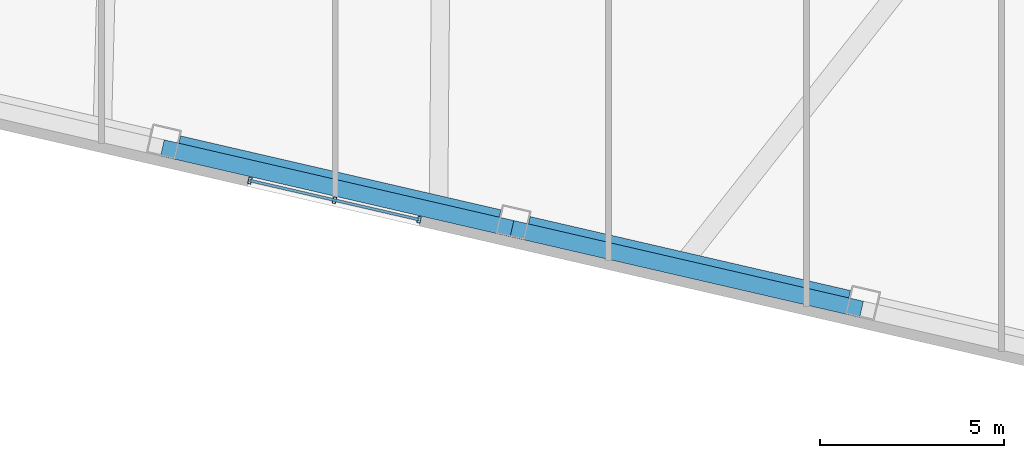
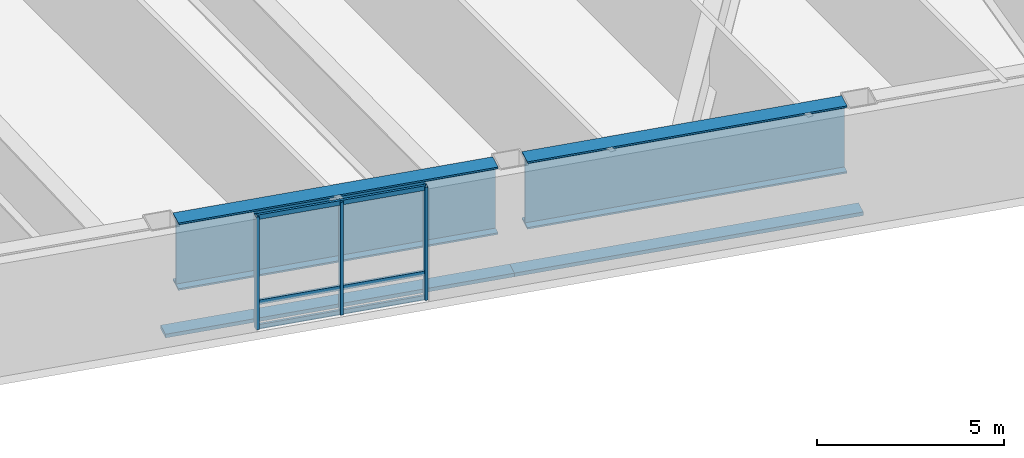
# One storey, part 4 of 19: 8 members, 2 beams, 1 element without a shape of its own.
"""IFC4 building model written with IfcOpenShell, lengths in metres."""

from ifc_helpers import new_model, si_unit, direction, frame, origin, origin_2d, place, context, subcontext, project, spatial, rectangle, hollow_rectangle, i_section, extrude, material, layer, layer_set, material_profile, profile_set, type_object, element, aggregate, save


model = new_model("IFC4")

# Units and contexts
model_context = context("Model", 3, precision=1e-05, world=origin(), true_north=direction((0.0, 1.0)))
body_context = subcontext(model_context, "Body", "Model", "MODEL_VIEW")
ifc_project = project(units=[si_unit("LENGTHUNIT", "METRE"), si_unit("AREAUNIT", "SQUARE_METRE"), si_unit("VOLUMEUNIT", "CUBIC_METRE"), si_unit("PLANEANGLEUNIT", "RADIAN"), si_unit("MASSUNIT", "GRAM", prefix="KILO")], contexts=[model_context])

# Site, building, storey
site_placement = place(None, origin())
site = spatial("IfcSite", under=ifc_project, at=site_placement, CompositionType="ELEMENT")
building_placement = place(site_placement, origin())
building = spatial("IfcBuilding", under=site, at=building_placement, Name="Tavrogorsk Clinical Tower", CompositionType="ELEMENT")
storey_placement = place(building_placement, frame((0.0, 0.0, 79.39990234375)))
storey = spatial("IfcBuildingStorey", under=building, at=storey_placement, Name="L17", CompositionType="ELEMENT", Elevation=79.39990234375)

# Members
ifc_material_1 = material(Name="Anodised aluminium alloy AW-6063", Category="aluminium")
ifc_material_profile_1 = material_profile(ifc_material_1, rectangle(XDim=0.449951171875, YDim=0.1201171875, at=origin_2d()), Name="ALU-SUNSHADE-450x120")
ifc_profile_set_1 = profile_set([ifc_material_profile_1], Name="Anodised aluminium alloy AW-6063")
member_type_1 = type_object("IfcMemberType", Name="ChicagoSunshade_450x120", PredefinedType="USERDEFINED", material=ifc_profile_set_1)
member_1_placement = place(storey_placement, frame((-3.296875, -27.353271484375, 0.18017578125), z_axis=(0.97437219846, -0.224941812182, 0.0), x_axis=(0.224941812182, 0.97437219846, 0.0)))
element("IfcMember", 1, at=member_1_placement, inside=storey, type_object=member_type_1, Name="L17 South Aluminium Sunshade S5", ObjectType="SUNSHADE", PredefinedType="USERDEFINED", context=body_context, shape_type="SweptSolid", body=[
    extrude(rectangle(XDim=0.449951171875, YDim=0.1201171875, at=origin_2d()), origin(), (0.0, 0.0, 1.0), 9.74853515625),
])
member_2_placement = place(storey_placement, frame((6.201904296875, -29.546142578125, 0.18017578125), z_axis=(0.974370931236, -0.2249473013, 0.0), x_axis=(0.2249473013, 0.974370931236, 0.0)))
element("IfcMember", 2, at=member_2_placement, inside=storey, type_object=member_type_1, Name="L17 South Aluminium Sunshade S6", ObjectType="SUNSHADE", PredefinedType="USERDEFINED", context=body_context, shape_type="SweptSolid", body=[
    extrude(rectangle(XDim=0.449951171875, YDim=0.1201171875, at=origin_2d()), origin(), (0.0, 0.0, 1.0), 9.748291015625),
])

# Curtain wall, members
ifc_material_2 = material(Name="Anodised aluminium and triple IGU glazing", Category="aluminium")
ifc_layer = layer(ifc_material_2, 0.179931640625)
ifc_layer_set = layer_set([ifc_layer], Name="Anodised aluminium and triple IGU glazing")
curtain_wall_type = type_object("IfcCurtainWallType", Name="CW3_SouthSlot", PredefinedType="NOTDEFINED", material=ifc_layer_set)
curtain_wall_placement = place(storey_placement, origin())
curtain_wall = element("IfcCurtainWall", 3, at=curtain_wall_placement, inside=storey, type_object=curtain_wall_type, Name="L17 Curtain Wall CW-L17-S-SLOT-2", PredefinedType="NOTDEFINED")
ifc_material_3 = material(Name="Anodised aluminium alloy AW-6060", Category="aluminium")
ifc_material_profile_2 = material_profile(ifc_material_3, hollow_rectangle(XDim=0.090087890625, YDim=0.179931640625, WallThickness=0.00634765625, at=origin_2d()), Name="RHS-180x90x6.3")
ifc_profile_set_2 = profile_set([ifc_material_profile_2], Name="Anodised aluminium alloy AW-6060")
member_type_2 = type_object("IfcMemberType", Name="CwMullion_180x90", PredefinedType="MULLION", material=ifc_profile_set_2)
member_3_placement = place(storey_placement, frame((-0.92041015625, -28.240478515625, 0.0), z_axis=(0.0, 0.0, 1.0), x_axis=(0.974370102963, -0.224950888978, 0.0)))
member_3 = element("IfcMember", 4, at=member_3_placement, type_object=member_type_2, Name="CW-L17-S-SLOT-2 Mullion 1", PredefinedType="MULLION", context=body_context, shape_type="SweptSolid", body=[
    extrude(hollow_rectangle(XDim=0.090087890625, YDim=0.179931640625, WallThickness=0.00634765625, at=origin_2d()), origin(), (0.0, 0.0, 1.0), 3.68017578125),
])
member_4_placement = place(storey_placement, frame((1.378173828125, -28.771240234375, 0.0), z_axis=(0.0, 0.0, 1.0), x_axis=(0.974370102963, -0.224950888978, 0.0)))
member_4 = element("IfcMember", 5, at=member_4_placement, type_object=member_type_2, Name="CW-L17-S-SLOT-2 Mullion 2", PredefinedType="MULLION", context=body_context, shape_type="SweptSolid", body=[
    extrude(hollow_rectangle(XDim=0.090087890625, YDim=0.179931640625, WallThickness=0.00634765625, at=origin_2d()), origin(), (0.0, 0.0, 1.0), 3.68017578125),
])
member_5_placement = place(storey_placement, frame((3.6767578125, -29.3017578125, 0.0), z_axis=(0.0, 0.0, 1.0), x_axis=(0.974370102963, -0.224950888978, 0.0)))
member_5 = element("IfcMember", 6, at=member_5_placement, type_object=member_type_2, Name="CW-L17-S-SLOT-2 Mullion 3", PredefinedType="MULLION", context=body_context, shape_type="SweptSolid", body=[
    extrude(hollow_rectangle(XDim=0.090087890625, YDim=0.179931640625, WallThickness=0.00634765625, at=origin_2d()), origin(), (0.0, 0.0, 1.0), 3.68017578125),
])
ifc_material_4 = material(Name="Anodised aluminium alloy AW-6060", Category="aluminium")
ifc_material_profile_3 = material_profile(ifc_material_4, hollow_rectangle(XDim=0.074951171875, YDim=0.14990234375, WallThickness=0.0048828125, at=origin_2d()), Name="RHS-150x75x5")
ifc_profile_set_3 = profile_set([ifc_material_profile_3], Name="Anodised aluminium alloy AW-6060")
member_type_3 = type_object("IfcMemberType", Name="CwTransom_150x75", PredefinedType="USERDEFINED", material=ifc_profile_set_3)
member_6_placement = place(storey_placement, frame((-0.92041015625, -28.240478515625, 0.050048828125), z_axis=(0.974372877948, -0.22493886885, 0.0), x_axis=(0.22493886885, 0.974372877948, 0.0)))
member_6 = element("IfcMember", 7, at=member_6_placement, type_object=member_type_3, Name="CW-L17-S-SLOT-2 Transom 1", ObjectType="TRANSOM", PredefinedType="USERDEFINED", context=body_context, shape_type="SweptSolid", body=[
    extrude(hollow_rectangle(XDim=0.074951171875, YDim=0.14990234375, WallThickness=0.0048828125, at=origin_2d()), origin(), (0.0, 0.0, 1.0), 4.718017578125),
])
member_7_placement = place(storey_placement, frame((-0.92041015625, -28.240478515625, 0.85009765625), z_axis=(0.974372877948, -0.22493886885, 0.0), x_axis=(0.22493886885, 0.974372877948, 0.0)))
member_7 = element("IfcMember", 8, at=member_7_placement, type_object=member_type_3, Name="CW-L17-S-SLOT-2 Transom 2", ObjectType="TRANSOM", PredefinedType="USERDEFINED", context=body_context, shape_type="SweptSolid", body=[
    extrude(hollow_rectangle(XDim=0.074951171875, YDim=0.14990234375, WallThickness=0.0048828125, at=origin_2d()), origin(), (0.0, 0.0, 1.0), 4.718017578125),
])
member_8_placement = place(storey_placement, frame((-0.92041015625, -28.240478515625, 3.630126953125), z_axis=(0.974372877948, -0.22493886885, 0.0), x_axis=(0.22493886885, 0.974372877948, 0.0)))
member_8 = element("IfcMember", 9, at=member_8_placement, type_object=member_type_3, Name="CW-L17-S-SLOT-2 Transom 3", ObjectType="TRANSOM", PredefinedType="USERDEFINED", context=body_context, shape_type="SweptSolid", body=[
    extrude(hollow_rectangle(XDim=0.074951171875, YDim=0.14990234375, WallThickness=0.0048828125, at=origin_2d()), origin(), (0.0, 0.0, 1.0), 4.718017578125),
])
aggregate(curtain_wall, [member_3, member_4, member_5, member_6, member_7, member_8])

# Beams
ifc_material_5 = material(Name="Structural steel S440", Category="steel")
ifc_material_profile_4 = material_profile(ifc_material_5, i_section(OverallWidth=0.5, OverallDepth=2.199951171875, WebThickness=0.035888671875, FlangeThickness=0.054931640625, at=origin_2d()), Name="DK-2200x500x36x55")
ifc_profile_set_4 = profile_set([ifc_material_profile_4], Name="Structural steel S440")
beam_type = type_object("IfcBeamType", Name="TransferGirder_DK2200", PredefinedType="USERDEFINED", material=ifc_profile_set_4)
for number, where, z_axis, x_axis, name in (
    (10, (-2.85888671875, -27.26953125, 2.580078125), (0.974372766602, -0.224939351168, 0.0), (0.224939351168, 0.974372766602, 0.0), "L17 Perimeter Spandrel S5-S6"),
    (11, (6.639892578125, -29.46240234375, 2.580078125), (0.974366775889, -0.224965299645, 0.0), (0.224965299645, 0.974366775889, 0.0), "L17 Perimeter Spandrel S6-S7"),
):
    element("IfcBeam", number, at=place(storey_placement, frame(where, z_axis=z_axis, x_axis=x_axis)), inside=storey, type_object=beam_type, Name=name, ObjectType="GIRDER", PredefinedType="USERDEFINED", context=body_context, shape_type="SweptSolid", body=[
        extrude(i_section(OverallWidth=0.5, OverallDepth=2.199951171875, WebThickness=0.035888671875, FlangeThickness=0.054931640625, at=origin_2d()), origin(), (0.0, 0.0, 1.0), 8.9326171875),
    ])

save(model, "model.ifc")
